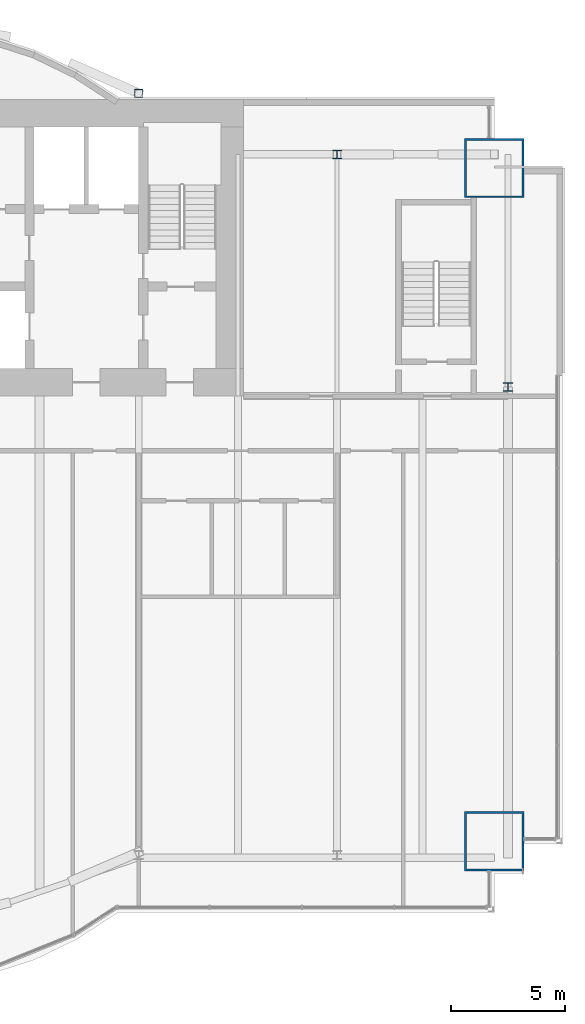
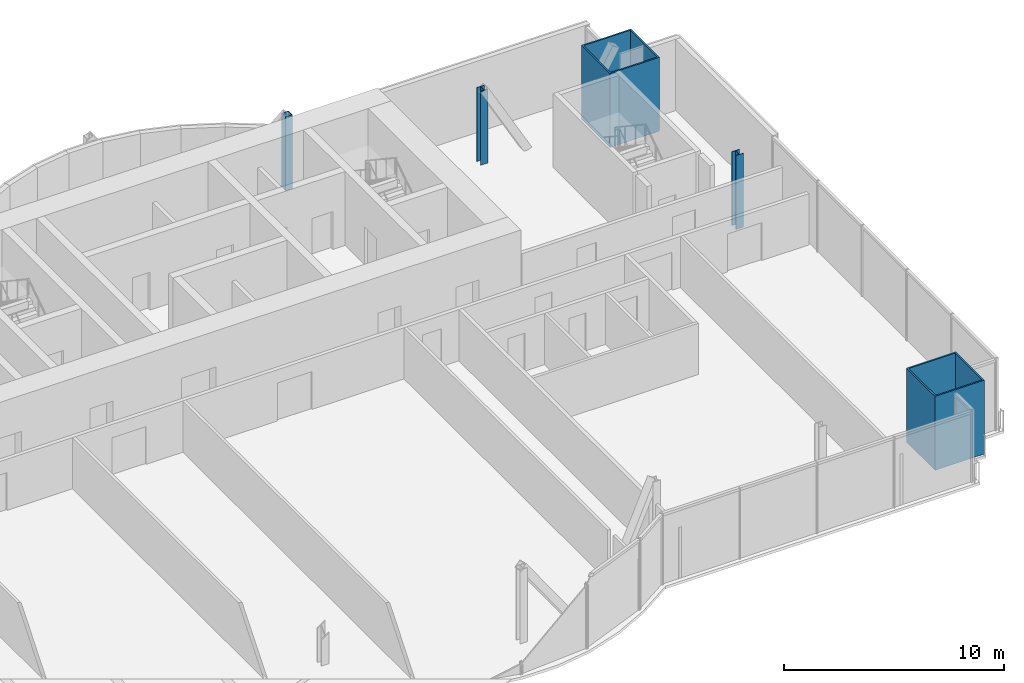
# One storey, part 4 of 22: 5 columns.
"""IFC4 building model written with IfcOpenShell, lengths in metres."""

from ifc_helpers import new_model, si_unit, direction, frame, origin, origin_2d, place, context, subcontext, project, spatial, hollow_rectangle, i_section, extrude, material, material_profile, profile_set, type_object, element, save


model = new_model("IFC4")

# Units and contexts
model_context = context("Model", 3, precision=1e-05, world=origin(), true_north=direction((0.0, 1.0)))
body_context = subcontext(model_context, "Body", "Model", "MODEL_VIEW")
ifc_project = project(units=[si_unit("LENGTHUNIT", "METRE"), si_unit("AREAUNIT", "SQUARE_METRE"), si_unit("VOLUMEUNIT", "CUBIC_METRE"), si_unit("PLANEANGLEUNIT", "RADIAN"), si_unit("MASSUNIT", "GRAM", prefix="KILO")], contexts=[model_context])

# Site, building, storey
site_placement = place(None, origin())
site = spatial("IfcSite", under=ifc_project, at=site_placement, CompositionType="ELEMENT")
building_placement = place(site_placement, origin())
building = spatial("IfcBuilding", under=site, at=building_placement, Name="Bicima Exchange Tower", CompositionType="ELEMENT")
storey_placement = place(building_placement, frame((0.0, 0.0, 148.60009765625)))
storey = spatial("IfcBuildingStorey", under=building, at=storey_placement, Name="L32", CompositionType="ELEMENT", Elevation=148.60009765625)

# Columns
ifc_material_1 = material(Name="Steel ASTM A572 Gr 50", Category="steel")
ifc_material_profile_1 = material_profile(ifc_material_1, hollow_rectangle(XDim=2.60009765625, YDim=2.60009765625, WallThickness=0.080078125, at=origin_2d()))
ifc_profile_set_1 = profile_set([ifc_material_profile_1], Name="Steel ASTM A572 Gr 50")
column_type_1 = type_object("IfcColumnType", Name="Mega column BOX 2600x2600x80", PredefinedType="COLUMN", material=ifc_profile_set_1)
for number, where, z_axis, x_axis, name in (
    (1, (33.0, -32.533935546875, 0.0), (0.0, 0.0, 1.0), (1.0, 0.0, 0.0), "Mega column mega+33.0f"),
    (2, (33.0, -3.0, 0.0), (0.0, 0.0, 1.0), (1.0, 0.0, 0.0), "Mega column mega+33.0r"),
):
    element("IfcColumn", number, at=place(storey_placement, frame(where, z_axis=z_axis, x_axis=x_axis)), inside=storey, type_object=column_type_1, Name=name, PredefinedType="COLUMN", context=body_context, shape_type="SweptSolid", body=[
        extrude(hollow_rectangle(XDim=2.60009765625, YDim=2.60009765625, WallThickness=0.080078125, at=origin_2d()), origin(), (0.0, 0.0, 1.0), 4.099853515625),
    ])
ifc_material_2 = material(Name="Steel ASTM A992 Gr 50", Category="steel")
ifc_material_profile_2 = material_profile(ifc_material_2, i_section(OverallWidth=0.396240234375, OverallDepth=0.381103515625, WebThickness=0.01904296875, FlangeThickness=0.0302734375, at=origin_2d()))
ifc_profile_set_2 = profile_set([ifc_material_profile_2], Name="Steel ASTM A992 Gr 50")
column_type_2 = type_object("IfcColumnType", Name="Perimeter column W14x159", PredefinedType="COLUMN", material=ifc_profile_set_2)
for number, where, z_axis, x_axis, name in (
    (3, (26.10009765625, -2.39990234375, 0.0), (0.0, 0.0, 1.0), (1.0, 0.0, 0.0), "Perimeter column grav+26.1r"),
    (4, (33.60009765625, -12.60009765625, 0.0), (0.0, 0.0, 1.0), (1.0, 0.0, 0.0), "End column end+33.6e"),
):
    element("IfcColumn", number, at=place(storey_placement, frame(where, z_axis=z_axis, x_axis=x_axis)), inside=storey, type_object=column_type_2, Name=name, PredefinedType="COLUMN", context=body_context, shape_type="SweptSolid", body=[
        extrude(i_section(OverallWidth=0.396240234375, OverallDepth=0.381103515625, WebThickness=0.01904296875, FlangeThickness=0.0302734375, at=origin_2d()), origin(), (0.0, 0.0, 1.0), 4.099853515625),
    ])
ifc_material_profile_3 = material_profile(ifc_material_1, hollow_rectangle(XDim=0.355712890625, YDim=0.355712890625, WallThickness=0.01171875, at=origin_2d()))
ifc_profile_set_3 = profile_set([ifc_material_profile_3], Name="Steel ASTM A572 Gr 50")
column_type_3 = type_object("IfcColumnType", Name="Rear pilaster HSS14x14x1/2", PredefinedType="COLUMN", material=ifc_profile_set_3)
column_placement = place(storey_placement, frame((17.39990234375, 0.278076171875, 0.0), z_axis=(0.0, 0.0, 1.0), x_axis=(1.0, 0.0, 0.0)))
element("IfcColumn", 5, at=column_placement, inside=storey, type_object=column_type_3, Name="Rear pilaster rexo+17.4r", PredefinedType="COLUMN", context=body_context, shape_type="SweptSolid", body=[
    extrude(hollow_rectangle(XDim=0.355712890625, YDim=0.355712890625, WallThickness=0.01171875, at=origin_2d()), origin(), (0.0, 0.0, 1.0), 4.099853515625),
])

save(model, "model.ifc")
